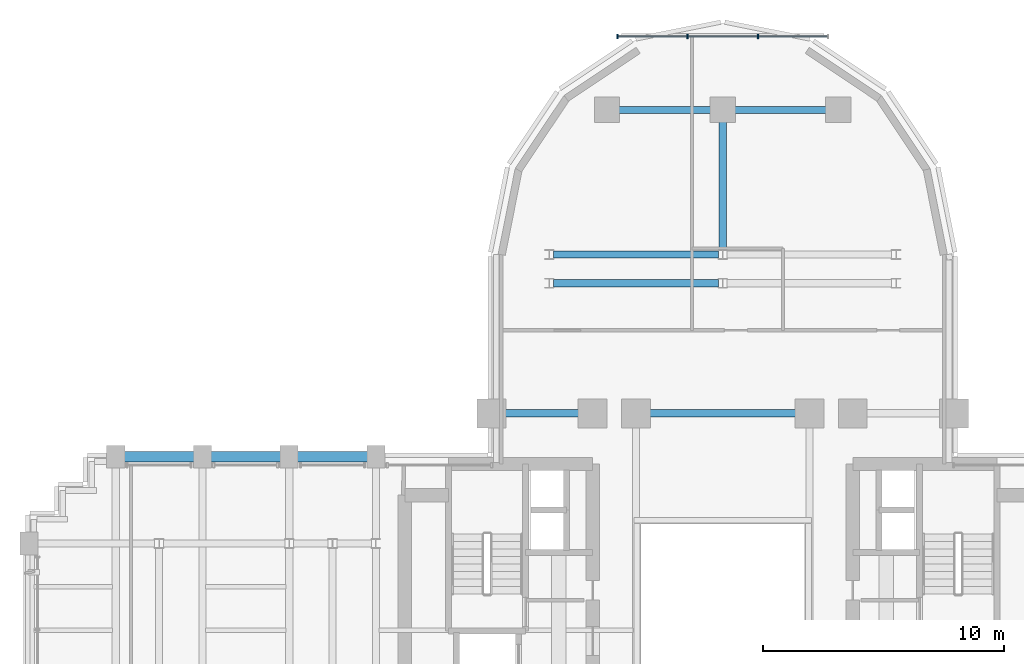
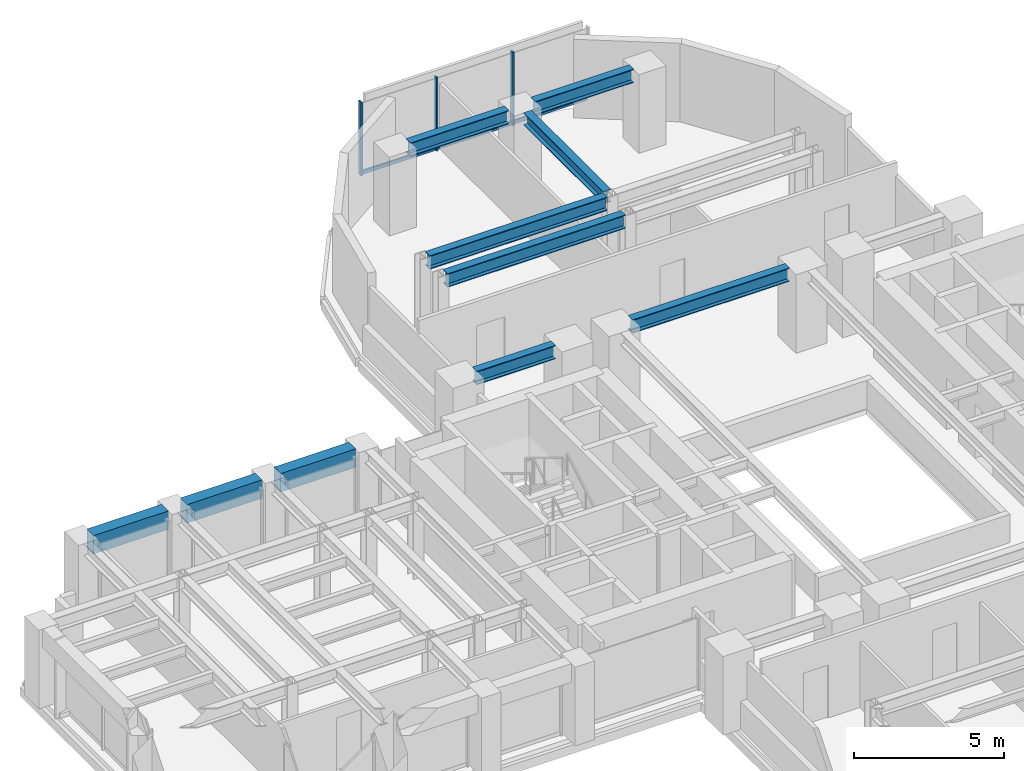
# One storey, part 7 of 16: 10 beams, 6 members, 1 element without a shape of its own.
"""IFC4 building model written with IfcOpenShell, lengths in metres."""

from ifc_helpers import new_model, si_unit, direction, frame, origin, origin_2d, place, context, subcontext, project, spatial, rectangle, i_section, extrude, source, transform, mapped, material, material_profile, profile_set, type_object, element, aggregate, save


model = new_model("IFC4")

# Units and contexts
model_context = context("Model", 3, precision=1e-05, world=origin(), true_north=direction((0.0, 1.0)))
body_context = subcontext(model_context, "Body", "Model", "MODEL_VIEW")
ifc_project = project(units=[si_unit("LENGTHUNIT", "METRE"), si_unit("AREAUNIT", "SQUARE_METRE"), si_unit("VOLUMEUNIT", "CUBIC_METRE"), si_unit("PLANEANGLEUNIT", "RADIAN"), si_unit("MASSUNIT", "GRAM", prefix="KILO")], contexts=[model_context])

# Site, building, storey
site_placement = place(None, origin())
site = spatial("IfcSite", under=ifc_project, at=site_placement, CompositionType="ELEMENT")
building_placement = place(site_placement, origin())
building = spatial("IfcBuilding", under=site, at=building_placement, Name="Keilestroom Media Tower", CompositionType="ELEMENT")
storey_placement = place(building_placement, frame((0.0, 0.0, 78.199951171875)))
storey = spatial("IfcBuildingStorey", under=building, at=storey_placement, Name="L20", CompositionType="ELEMENT", Elevation=78.199951171875)

# Beams
ifc_material_1 = material(Name="Steel S355", Category="steel")
ifc_material_profile_1 = material_profile(ifc_material_1, i_section(OverallWidth=0.300048828125, OverallDepth=0.550048828125, WebThickness=0.012939453125, FlangeThickness=0.029052734375, at=origin_2d()), Name="HEB 550")
ifc_profile_set_1 = profile_set([ifc_material_profile_1], Name="Steel S355")
beam_type_1 = type_object("IfcBeamType", Name="Primary-Structural-Girder-HEB-550", PredefinedType="BEAM", material=ifc_profile_set_1)
shared_shape_1 = source(origin(), body_context, "Body", "SweptSolid", [
    extrude(i_section(OverallWidth=0.300048828125, OverallDepth=0.550048828125, WebThickness=0.012939453125, FlangeThickness=0.029052734375, at=origin_2d()), origin(), (0.0, 0.0, 1.0), 3.7900390625),
])
for number, where, z_axis, x_axis, name in (
    (1, (-4.294921875, 21.60009765625, 2.925048828125), (1.0, 0.0, 0.0), (0.0, 1.0, 0.0), "L20 Beam BG-5 BM-L20-EW-049"),
    (2, (0.5048828125, 21.60009765625, 2.925048828125), (1.0, 0.0, 0.0), (0.0, 1.0, 0.0), "L20 Beam BG-5 BM-L20-EW-050"),
):
    element("IfcBeam", number, at=place(storey_placement, frame(where, z_axis=z_axis, x_axis=x_axis)), inside=storey, type_object=beam_type_1, Name=name, PredefinedType="BEAM", context=body_context, shape_type="MappedRepresentation", body=[
        mapped(shared_shape_1, transform((0.0, 0.0, 0.0), x_axis=(1.0, 0.0, 0.0), y_axis=(0.0, 1.0, 0.0), z_axis=(0.0, 0.0, 1.0), scale=1.0)),
    ])
shared_shape_2 = source(origin(), body_context, "Body", "SweptSolid", [
    extrude(i_section(OverallWidth=0.300048828125, OverallDepth=0.550048828125, WebThickness=0.012939453125, FlangeThickness=0.029052734375, at=origin_2d()), origin(), (0.0, 0.0, 1.0), 6.836181640625),
])
for number, where, z_axis, x_axis, name in (
    (3, (-7.01806640625, 14.39990234375, 2.925048828125), (1.0, 0.0, 0.0), (0.0, 1.0, 0.0), "L20 Beam BG-5 BM-L20-EW-045"),
    (4, (-7.01806640625, 15.60009765625, 2.925048828125), (1.0, 0.0, 0.0), (0.0, 1.0, 0.0), "L20 Beam BG-5 BM-L20-EW-047"),
):
    element("IfcBeam", number, at=place(storey_placement, frame(where, z_axis=z_axis, x_axis=x_axis)), inside=storey, type_object=beam_type_1, Name=name, PredefinedType="BEAM", context=body_context, shape_type="MappedRepresentation", body=[
        mapped(shared_shape_2, transform((0.0, 0.0, 0.0), x_axis=(1.0, 0.0, 0.0), y_axis=(0.0, 1.0, 0.0), z_axis=(0.0, 0.0, 1.0), scale=1.0)),
    ])
shared_shape_3 = source(origin(), body_context, "Body", "SweptSolid", [
    extrude(i_section(OverallWidth=0.300048828125, OverallDepth=0.550048828125, WebThickness=0.012939453125, FlangeThickness=0.029052734375, at=origin_2d()), origin(), (0.0, 0.0, 1.0), 3.0400390625),
])
beam_1_placement = place(storey_placement, frame((-9.02001953125, 9.0, 2.925048828125), z_axis=(1.0, 0.0, 0.0), x_axis=(0.0, 1.0, 0.0)))
element("IfcBeam", 5, at=beam_1_placement, inside=storey, type_object=beam_type_1, Name="L20 Beam BG-5 BM-L20-EW-040", PredefinedType="BEAM", context=body_context, shape_type="MappedRepresentation", body=[
    mapped(shared_shape_3, transform((0.0, 0.0, 0.0), x_axis=(1.0, 0.0, 0.0), y_axis=(0.0, 1.0, 0.0), z_axis=(0.0, 0.0, 1.0), scale=1.0)),
])
shared_shape_4 = source(origin(), body_context, "Body", "SweptSolid", [
    extrude(i_section(OverallWidth=0.300048828125, OverallDepth=0.550048828125, WebThickness=0.012939453125, FlangeThickness=0.029052734375, at=origin_2d()), origin(), (0.0, 0.0, 1.0), 6.0400390625),
])
beam_2_placement = place(storey_placement, frame((-3.02001953125, 9.0, 2.925048828125), z_axis=(1.0, 0.0, 0.0), x_axis=(0.0, 1.0, 0.0)))
element("IfcBeam", 6, at=beam_2_placement, inside=storey, type_object=beam_type_1, Name="L20 Beam BG-5 BM-L20-EW-042", PredefinedType="BEAM", context=body_context, shape_type="MappedRepresentation", body=[
    mapped(shared_shape_4, transform((0.0, 0.0, 0.0), x_axis=(1.0, 0.0, 0.0), y_axis=(0.0, 1.0, 0.0), z_axis=(0.0, 0.0, 1.0), scale=1.0)),
])
ifc_material_2 = material(Name="Precast concrete C40/50", Category="concrete")
ifc_material_profile_2 = material_profile(ifc_material_2, rectangle(XDim=0.449951171875, YDim=0.75, at=origin_2d()), Name="PC 450x750")
ifc_profile_set_2 = profile_set([ifc_material_profile_2], Name="Precast concrete C40/50")
beam_type_2 = type_object("IfcBeamType", Name="Perimeter-Spandrel-Beam-PC-450x750", PredefinedType="SPANDREL", material=ifc_profile_set_2)
shared_shape_5 = source(origin(), body_context, "Body", "SweptSolid", [
    extrude(rectangle(XDim=0.449951171875, YDim=0.75, at=origin_2d()), origin(), (0.0, 0.0, 1.0), 2.889892578125),
])
beam_3_placement = place(storey_placement, frame((-24.844970703125, 7.199951171875, 2.824951171875), z_axis=(1.0, 0.0, 0.0), x_axis=(0.0, 1.0, 0.0)))
element("IfcBeam", 7, at=beam_3_placement, inside=storey, type_object=beam_type_2, Name="L20 Beam SPB-1 BM-L20-EW-034", PredefinedType="SPANDREL", context=body_context, shape_type="MappedRepresentation", body=[
    mapped(shared_shape_5, transform((0.0, 0.0, 0.0), x_axis=(1.0, 0.0, 0.0), y_axis=(0.0, 1.0, 0.0), z_axis=(0.0, 0.0, 1.0), scale=1.0)),
])
shared_shape_6 = source(origin(), body_context, "Body", "SweptSolid", [
    extrude(rectangle(XDim=0.449951171875, YDim=0.75, at=origin_2d()), origin(), (0.0, 0.0, 1.0), 2.89013671875),
])
for number, where, z_axis, x_axis, name in (
    (8, (-21.2451171875, 7.199951171875, 2.824951171875), (1.0, 0.0, 0.0), (0.0, 1.0, 0.0), "L20 Beam SPB-1 BM-L20-EW-035"),
    (9, (-17.64501953125, 7.199951171875, 2.824951171875), (1.0, 0.0, 0.0), (0.0, 1.0, 0.0), "L20 Beam SPB-1 BM-L20-EW-036"),
):
    element("IfcBeam", number, at=place(storey_placement, frame(where, z_axis=z_axis, x_axis=x_axis)), inside=storey, type_object=beam_type_2, Name=name, PredefinedType="SPANDREL", context=body_context, shape_type="MappedRepresentation", body=[
        mapped(shared_shape_6, transform((0.0, 0.0, 0.0), x_axis=(1.0, 0.0, 0.0), y_axis=(0.0, 1.0, 0.0), z_axis=(0.0, 0.0, 1.0), scale=1.0)),
    ])
ifc_material_profile_3 = material_profile(ifc_material_1, i_section(OverallWidth=0.300048828125, OverallDepth=0.5, WebThickness=0.012451171875, FlangeThickness=0.028076171875, at=origin_2d()), Name="HEB 500")
ifc_profile_set_3 = profile_set([ifc_material_profile_3], Name="Steel S355")
beam_type_3 = type_object("IfcBeamType", Name="Primary-Structural-Girder-HEB-500", PredefinedType="BEAM", material=ifc_profile_set_3)
shared_shape_7 = source(origin(), body_context, "Body", "SweptSolid", [
    extrude(i_section(OverallWidth=0.300048828125, OverallDepth=0.5, WebThickness=0.012451171875, FlangeThickness=0.028076171875, at=origin_2d()), origin(), (0.0, 0.0, 1.0), 5.3115234375),
])
beam_4_placement = place(storey_placement, frame((0.0, 15.783447265625, 2.949951171875), z_axis=(0.0, 1.0, 0.0), x_axis=(-1.0, 0.0, 0.0)))
element("IfcBeam", 10, at=beam_4_placement, inside=storey, type_object=beam_type_3, Name="L20 Beam BG-6 BM-L20-NS-070", PredefinedType="BEAM", context=body_context, shape_type="MappedRepresentation", body=[
    mapped(shared_shape_7, transform((0.0, 0.0, 0.0), x_axis=(1.0, 0.0, 0.0), y_axis=(0.0, 1.0, 0.0), z_axis=(0.0, 0.0, 1.0), scale=1.0)),
])

# Curtain wall, members
ifc_material_3 = material(Name="Anodised Aluminium Alloy", Category="aluminium")
curtain_wall_type = type_object("IfcCurtainWallType", Name="Unitised-Curtain-Wall-CW-6", PredefinedType="NOTDEFINED", material=ifc_material_3)
curtain_wall_placement = place(storey_placement, origin())
curtain_wall = element("IfcCurtainWall", 11, at=curtain_wall_placement, inside=storey, type_object=curtain_wall_type, Name="L20 Curtain Wall CW-6 CW-L20-LN-1", PredefinedType="NOTDEFINED")
ifc_material_profile_4 = material_profile(ifc_material_3, rectangle(XDim=0.06494140625, YDim=0.179931640625, at=origin_2d()), Name="ALU MULLION 65x180")
ifc_profile_set_4 = profile_set([ifc_material_profile_4], Name="Anodised Aluminium Alloy")
member_type_1 = type_object("IfcMemberType", Name="Curtain-Wall-Mullion-CW-6", PredefinedType="MULLION", material=ifc_profile_set_4)
shared_shape_8 = source(origin(), body_context, "Body", "SweptSolid", [
    extrude(rectangle(XDim=0.06494140625, YDim=0.179931640625, at=origin_2d()), origin(), (0.0, 0.0, 1.0), 2.97998046875),
])
member_1_placement = place(storey_placement, frame((-4.367431640625, 24.64990234375, 0.0), z_axis=(0.0, 0.0, 1.0), x_axis=(1.0, 0.0, 0.0)))
member_1 = element("IfcMember", 12, at=member_1_placement, type_object=member_type_1, Name="CW-6 Mullion 00", PredefinedType="MULLION", context=body_context, shape_type="MappedRepresentation", body=[
    mapped(shared_shape_8, transform((0.0, 0.0, 0.0), x_axis=(1.0, 0.0, 0.0), y_axis=(0.0, 1.0, 0.0), z_axis=(0.0, 0.0, 1.0), scale=1.0)),
])
member_2_placement = place(storey_placement, frame((-1.466796875, 24.64990234375, 0.0), z_axis=(0.0, 0.0, 1.0), x_axis=(1.0, 0.0, 0.0)))
member_2 = element("IfcMember", 13, at=member_2_placement, type_object=member_type_1, Name="CW-6 Mullion 01", PredefinedType="MULLION", context=body_context, shape_type="MappedRepresentation", body=[
    mapped(shared_shape_8, transform((0.0, 0.0, 0.0), x_axis=(1.0, 0.0, 0.0), y_axis=(0.0, 1.0, 0.0), z_axis=(0.0, 0.0, 1.0), scale=1.0)),
])
member_3_placement = place(storey_placement, frame((1.466796875, 24.64990234375, 0.0), z_axis=(0.0, 0.0, 1.0), x_axis=(1.0, 0.0, 0.0)))
member_3 = element("IfcMember", 14, at=member_3_placement, type_object=member_type_1, Name="CW-6 Mullion 02", PredefinedType="MULLION", context=body_context, shape_type="MappedRepresentation", body=[
    mapped(shared_shape_8, transform((0.0, 0.0, 0.0), x_axis=(1.0, 0.0, 0.0), y_axis=(0.0, 1.0, 0.0), z_axis=(0.0, 0.0, 1.0), scale=1.0)),
])
ifc_material_profile_5 = material_profile(ifc_material_3, rectangle(XDim=0.06494140625, YDim=0.14990234375, at=origin_2d()), Name="ALU TRANSOM 65x150")
ifc_profile_set_5 = profile_set([ifc_material_profile_5], Name="Anodised Aluminium Alloy")
member_type_2 = type_object("IfcMemberType", Name="Curtain-Wall-Transom-CW-6", PredefinedType="USERDEFINED", material=ifc_profile_set_5)
shared_shape_9 = source(origin(), body_context, "Body", "SweptSolid", [
    extrude(rectangle(XDim=0.06494140625, YDim=0.14990234375, at=origin_2d()), origin(), (0.0, 0.0, 1.0), 2.839599609375),
])
member_4_placement = place(storey_placement, frame((-4.3369140625, 24.64990234375, 0.074951171875), z_axis=(1.0, 0.0, 0.0), x_axis=(0.0, 1.0, 0.0)))
member_4 = element("IfcMember", 15, at=member_4_placement, type_object=member_type_2, Name="CW-6 Transom 00.1", ObjectType="TRANSOM", PredefinedType="USERDEFINED", context=body_context, shape_type="MappedRepresentation", body=[
    mapped(shared_shape_9, transform((0.0, 0.0, 0.0), x_axis=(1.0, 0.0, 0.0), y_axis=(0.0, 1.0, 0.0), z_axis=(0.0, 0.0, 1.0), scale=1.0)),
])
member_5_placement = place(storey_placement, frame((1.497314453125, 24.64990234375, 0.074951171875), z_axis=(1.0, 0.0, 0.0), x_axis=(0.0, 1.0, 0.0)))
member_5 = element("IfcMember", 16, at=member_5_placement, type_object=member_type_2, Name="CW-6 Transom 02.1", ObjectType="TRANSOM", PredefinedType="USERDEFINED", context=body_context, shape_type="MappedRepresentation", body=[
    mapped(shared_shape_9, transform((0.0, 0.0, 0.0), x_axis=(1.0, 0.0, 0.0), y_axis=(0.0, 1.0, 0.0), z_axis=(0.0, 0.0, 1.0), scale=1.0)),
])
shared_shape_10 = source(origin(), body_context, "Body", "SweptSolid", [
    extrude(rectangle(XDim=0.06494140625, YDim=0.14990234375, at=origin_2d()), origin(), (0.0, 0.0, 1.0), 2.87255859375),
])
member_6_placement = place(storey_placement, frame((-1.436279296875, 24.64990234375, 0.074951171875), z_axis=(1.0, 0.0, 0.0), x_axis=(0.0, 1.0, 0.0)))
member_6 = element("IfcMember", 17, at=member_6_placement, type_object=member_type_2, Name="CW-6 Transom 01.1", ObjectType="TRANSOM", PredefinedType="USERDEFINED", context=body_context, shape_type="MappedRepresentation", body=[
    mapped(shared_shape_10, transform((0.0, 0.0, 0.0), x_axis=(1.0, 0.0, 0.0), y_axis=(0.0, 1.0, 0.0), z_axis=(0.0, 0.0, 1.0), scale=1.0)),
])
aggregate(curtain_wall, [member_1, member_2, member_3, member_4, member_6, member_5])

save(model, "model.ifc")
